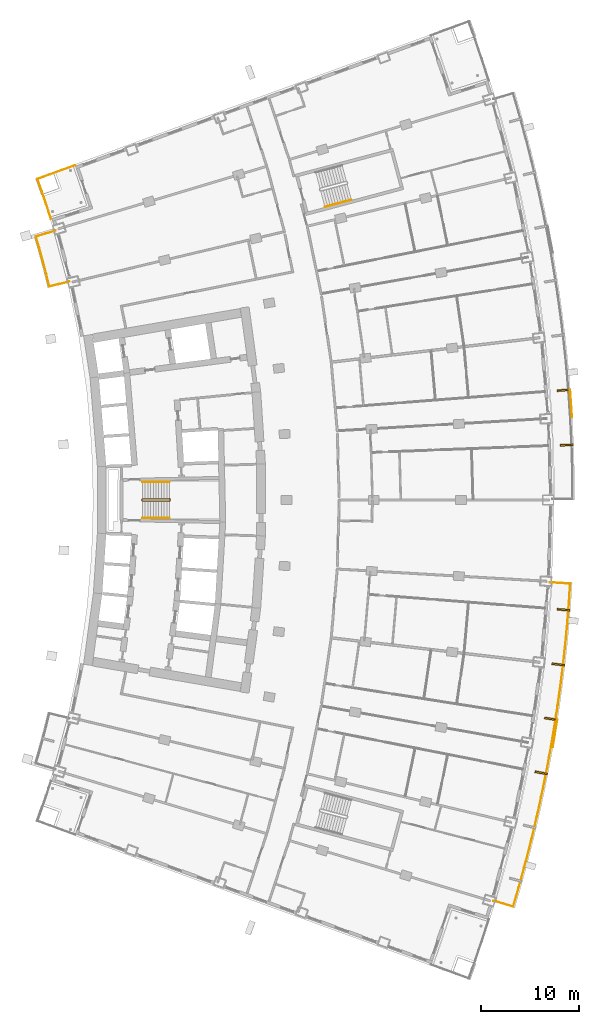
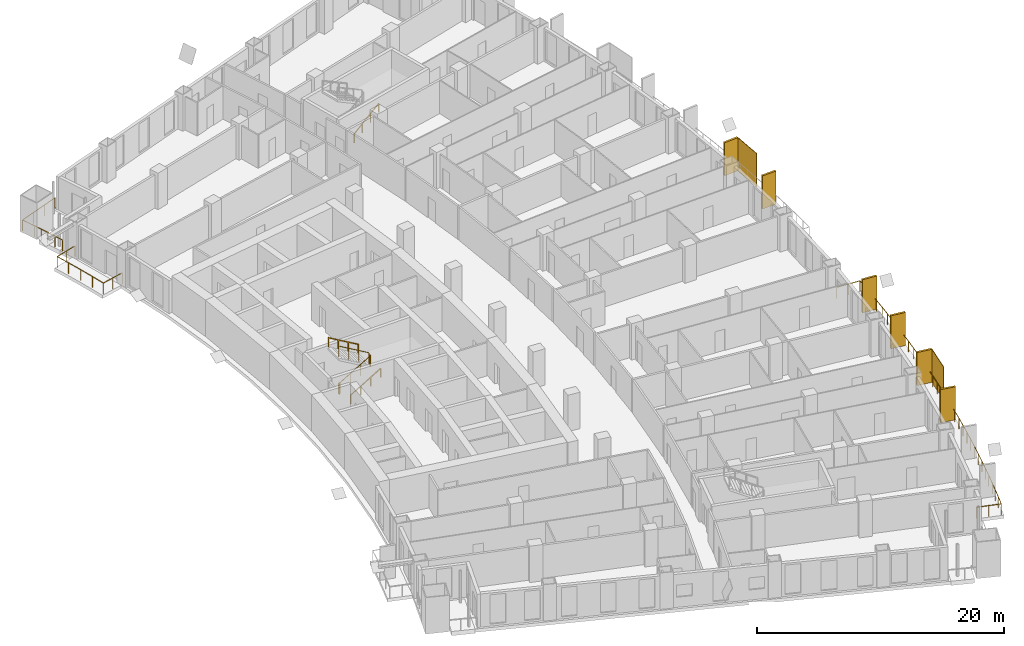
# One storey, part 24 of 25: 8 shading devices, 7 railings.
"""IFC4 building model written with IfcOpenShell, lengths in metres."""

from ifc_helpers import new_model, si_unit, direction, frame, origin, origin_with_axes, origin_2d, place, context, subcontext, project, spatial, rectangle, extrude, material, layer, layer_set, type_object, element, save


model = new_model("IFC4")

# Units and contexts
model_context = context("Model", 3, precision=1e-05, world=origin(), true_north=direction((0.0, 1.0)))
body_context = subcontext(model_context, "Body", "Model", "MODEL_VIEW")
ifc_project = project(units=[si_unit("LENGTHUNIT", "METRE"), si_unit("AREAUNIT", "SQUARE_METRE"), si_unit("VOLUMEUNIT", "CUBIC_METRE"), si_unit("PLANEANGLEUNIT", "RADIAN"), si_unit("MASSUNIT", "GRAM", prefix="KILO")], contexts=[model_context])

# Site, building, storey
site_placement = place(None, origin())
site = spatial("IfcSite", under=ifc_project, at=site_placement, CompositionType="ELEMENT")
building_placement = place(site_placement, origin())
building = spatial("IfcBuilding", under=site, at=building_placement, Name="Alderwake Tower", CompositionType="ELEMENT")
storey_placement = place(building_placement, frame((0.0, 0.0, 60.800048828125)))
storey = spatial("IfcBuildingStorey", under=building, at=storey_placement, Name="L14", CompositionType="ELEMENT", Elevation=60.800048828125)

# Railings
ifc_material_1 = material(Name="Stainless steel 316 rail and posts", Category="steel")
railing_type_1 = type_object("IfcRailingType", Name="Balcony guard 1100", PredefinedType="GUARDRAIL", material=ifc_material_1)
railing_1_placement = place(storey_placement, frame((56.98876953125, 19.974853515625, 0.0)))
element("IfcRailing", 1, at=railing_1_placement, inside=storey, type_object=railing_type_1, Name="Guard BF02", PredefinedType="GUARDRAIL", context=body_context, shape_type="SweptSolid", body=[
    extrude(rectangle(XDim=0.048095703125, YDim=0.048095703125, at=origin_2d()), frame((0.0, 0.0, 1.076171875), z_axis=(0.957954179098, -0.286921227429, 0.0), x_axis=(0.286921227429, 0.957954179098, 0.0)), (0.0, 0.0, 1.0), 2.10009765625),
    extrude(rectangle(XDim=0.048095703125, YDim=0.048095703125, at=origin_2d()), frame((2.01171875, -0.6025390625, 1.076171875), z_axis=(0.28021854868, 0.95993622964, 0.0), x_axis=(-0.95993622964, 0.28021854868, 0.0)), (0.0, 0.0, 1.0), 2.01611328125),
    extrude(rectangle(XDim=0.048095703125, YDim=0.048095703125, at=origin_2d()), frame((2.57666015625, 1.332763671875, 1.076171875), z_axis=(0.266513084078, 0.9638313006, 0.0), x_axis=(-0.9638313006, 0.266513084078, 0.0)), (0.0, 0.0, 1.0), 2.115966796875),
    extrude(rectangle(XDim=0.048095703125, YDim=0.048095703125, at=origin_2d()), frame((3.140625, 3.372314453125, 1.076171875), z_axis=(0.25253930462, 0.967586636752, 0.0), x_axis=(-0.967586636752, 0.25253930462, 0.0)), (0.0, 0.0, 1.0), 2.1162109375),
    extrude(rectangle(XDim=0.048095703125, YDim=0.048095703125, at=origin_2d()), frame((3.675048828125, 5.419921875, 1.076171875), z_axis=(0.238270812315, 0.971198754117, 0.0), x_axis=(-0.971198754117, 0.238270812315, 0.0)), (0.0, 0.0, 1.0), 2.115966796875),
    extrude(rectangle(XDim=0.048095703125, YDim=0.048095703125, at=origin_2d()), frame((4.17919921875, 7.474853515625, 1.076171875), z_axis=(0.224058933292, 0.974575597074, 0.0), x_axis=(-0.974575597074, 0.224058933292, 0.0)), (0.0, 0.0, 1.0), 2.115966796875),
    extrude(rectangle(XDim=0.048095703125, YDim=0.048095703125, at=origin_2d()), frame((4.6533203125, 9.537109375, 1.076171875), z_axis=(0.209875777658, 0.977728059305, 0.0), x_axis=(-0.977728059305, 0.209875777658, 0.0)), (0.0, 0.0, 1.0), 2.115966796875),
    extrude(rectangle(XDim=0.048095703125, YDim=0.048095703125, at=origin_2d()), frame((5.097412109375, 11.60595703125, 1.076171875), z_axis=(0.195672373282, 0.980669323643, 0.0), x_axis=(-0.980669323643, 0.195672373282, 0.0)), (0.0, 0.0, 1.0), 2.1162109375),
    extrude(rectangle(XDim=0.048095703125, YDim=0.048095703125, at=origin_2d()), frame((5.511474609375, 13.68115234375, 1.076171875), z_axis=(0.181271090416, 0.983433165893, 0.0), x_axis=(-0.983433165893, 0.181271090416, 0.0)), (0.0, 0.0, 1.0), 2.115966796875),
    extrude(rectangle(XDim=0.048095703125, YDim=0.048095703125, at=origin_2d()), frame((5.89501953125, 15.761962890625, 1.076171875), z_axis=(0.166942854132, 0.985966573193, 0.0), x_axis=(-0.985966573193, 0.166942854132, 0.0)), (0.0, 0.0, 1.0), 2.1162109375),
    extrude(rectangle(XDim=0.048095703125, YDim=0.048095703125, at=origin_2d()), frame((6.248291015625, 17.848388671875, 1.076171875), z_axis=(0.152525334997, 0.988299560955, 0.0), x_axis=(-0.988299560955, 0.152525334997, 0.0)), (0.0, 0.0, 1.0), 2.115966796875),
    extrude(rectangle(XDim=0.048095703125, YDim=0.048095703125, at=origin_2d()), frame((6.571044921875, 19.939697265625, 1.076171875), z_axis=(0.13810917546, 0.990417010988, 0.0), x_axis=(-0.990417010988, 0.13810917546, 0.0)), (0.0, 0.0, 1.0), 2.115966796875),
    extrude(rectangle(XDim=0.048095703125, YDim=0.048095703125, at=origin_2d()), frame((6.86328125, 22.035400390625, 1.076171875), z_axis=(0.123566122663, 0.992336340829, 0.0), x_axis=(-0.992336340829, 0.123566122663, 0.0)), (0.0, 0.0, 1.0), 2.115966796875),
    extrude(rectangle(XDim=0.048095703125, YDim=0.048095703125, at=origin_2d()), frame((7.124755859375, 24.13525390625, 1.076171875), z_axis=(0.109152371234, 0.994025029792, 0.0), x_axis=(-0.994025029792, 0.109152371234, 0.0)), (0.0, 0.0, 1.0), 2.115966796875),
    extrude(rectangle(XDim=0.048095703125, YDim=0.048095703125, at=origin_2d()), frame((7.355712890625, 26.238525390625, 1.076171875), z_axis=(0.094727418448, 0.995503247707, 0.0), x_axis=(-0.995503247707, 0.094727418448, 0.0)), (0.0, 0.0, 1.0), 2.115966796875),
    extrude(rectangle(XDim=0.048095703125, YDim=0.048095703125, at=origin_2d()), frame((7.55615234375, 28.344970703125, 1.076171875), z_axis=(0.080066197531, 0.996789548507, 0.0), x_axis=(-0.996789548507, 0.080066197531, 0.0)), (0.0, 0.0, 1.0), 2.1162109375),
    extrude(rectangle(XDim=0.048095703125, YDim=0.048095703125, at=origin_2d()), frame((7.7255859375, 30.454345703125, 1.076171875), z_axis=(0.065996579832, 0.997819849197, 0.0), x_axis=(-0.997819849197, 0.065996579832, 0.0)), (0.0, 0.0, 1.0), 2.01611328125),
    extrude(rectangle(XDim=0.048095703125, YDim=0.048095703125, at=origin_2d()), frame((7.858642578125, 32.466064453125, 1.076171875), z_axis=(-0.998261521477, 0.05894009449, 0.0), x_axis=(-0.05894009449, -0.998261521477, 0.0)), (0.0, 0.0, 1.0), 2.10009765625),
    extrude(rectangle(XDim=0.0419921875, YDim=0.0419921875, at=origin_2d()), frame((0.0, 0.0, 0.0), z_axis=(0.0, 0.0, 1.0), x_axis=(0.957954179098, -0.286921227429, 0.0)), (0.0, 0.0, 1.0), 1.052001953125),
    extrude(rectangle(XDim=0.0419921875, YDim=0.0419921875, at=origin_2d()), frame((1.005859375, -0.30126953125, 0.0), z_axis=(0.0, 0.0, 1.0), x_axis=(0.957954179098, -0.286921227429, 0.0)), (0.0, 0.0, 1.0), 1.052001953125),
    extrude(rectangle(XDim=0.0419921875, YDim=0.0419921875, at=origin_2d()), frame((2.01171875, -0.6025390625, 0.0), z_axis=(0.0, 0.0, 1.0), x_axis=(0.28021854868, 0.95993622964, 0.0)), (0.0, 0.0, 1.0), 1.052001953125),
    extrude(rectangle(XDim=0.0419921875, YDim=0.0419921875, at=origin_2d()), frame((2.294189453125, 0.365234375, 0.0), z_axis=(0.0, 0.0, 1.0), x_axis=(0.28021854868, 0.95993622964, 0.0)), (0.0, 0.0, 1.0), 1.052001953125),
    extrude(rectangle(XDim=0.0419921875, YDim=0.0419921875, at=origin_2d()), frame((2.57666015625, 1.332763671875, 0.0), z_axis=(0.0, 0.0, 1.0), x_axis=(0.266513084078, 0.9638313006, 0.0)), (0.0, 0.0, 1.0), 1.052001953125),
    extrude(rectangle(XDim=0.0419921875, YDim=0.0419921875, at=origin_2d()), frame((2.858642578125, 2.3525390625, 0.0), z_axis=(0.0, 0.0, 1.0), x_axis=(0.266513084078, 0.9638313006, 0.0)), (0.0, 0.0, 1.0), 1.052001953125),
    extrude(rectangle(XDim=0.0419921875, YDim=0.0419921875, at=origin_2d()), frame((3.140625, 3.372314453125, 0.0), z_axis=(0.0, 0.0, 1.0), x_axis=(0.25253930462, 0.967586636752, 0.0)), (0.0, 0.0, 1.0), 1.052001953125),
    extrude(rectangle(XDim=0.0419921875, YDim=0.0419921875, at=origin_2d()), frame((3.40771484375, 4.39599609375, 0.0), z_axis=(0.0, 0.0, 1.0), x_axis=(0.25253930462, 0.967586636752, 0.0)), (0.0, 0.0, 1.0), 1.052001953125),
    extrude(rectangle(XDim=0.0419921875, YDim=0.0419921875, at=origin_2d()), frame((3.675048828125, 5.419921875, 0.0), z_axis=(0.0, 0.0, 1.0), x_axis=(0.238270812315, 0.971198754117, 0.0)), (0.0, 0.0, 1.0), 1.052001953125),
    extrude(rectangle(XDim=0.0419921875, YDim=0.0419921875, at=origin_2d()), frame((3.92724609375, 6.447265625, 0.0), z_axis=(0.0, 0.0, 1.0), x_axis=(0.238270812315, 0.971198754117, 0.0)), (0.0, 0.0, 1.0), 1.052001953125),
    extrude(rectangle(XDim=0.0419921875, YDim=0.0419921875, at=origin_2d()), frame((4.17919921875, 7.474853515625, 0.0), z_axis=(0.0, 0.0, 1.0), x_axis=(0.224058933292, 0.974575597074, 0.0)), (0.0, 0.0, 1.0), 1.052001953125),
    extrude(rectangle(XDim=0.0419921875, YDim=0.0419921875, at=origin_2d()), frame((4.416259765625, 8.505859375, 0.0), z_axis=(0.0, 0.0, 1.0), x_axis=(0.224058933292, 0.974575597074, 0.0)), (0.0, 0.0, 1.0), 1.052001953125),
    extrude(rectangle(XDim=0.0419921875, YDim=0.0419921875, at=origin_2d()), frame((4.6533203125, 9.537109375, 0.0), z_axis=(0.0, 0.0, 1.0), x_axis=(0.209875777658, 0.977728059305, 0.0)), (0.0, 0.0, 1.0), 1.052001953125),
    extrude(rectangle(XDim=0.0419921875, YDim=0.0419921875, at=origin_2d()), frame((4.87548828125, 10.571533203125, 0.0), z_axis=(0.0, 0.0, 1.0), x_axis=(0.209875777658, 0.977728059305, 0.0)), (0.0, 0.0, 1.0), 1.052001953125),
    extrude(rectangle(XDim=0.0419921875, YDim=0.0419921875, at=origin_2d()), frame((5.097412109375, 11.60595703125, 0.0), z_axis=(0.0, 0.0, 1.0), x_axis=(0.195672373282, 0.980669323643, 0.0)), (0.0, 0.0, 1.0), 1.052001953125),
    extrude(rectangle(XDim=0.0419921875, YDim=0.0419921875, at=origin_2d()), frame((5.304443359375, 12.6435546875, 0.0), z_axis=(0.0, 0.0, 1.0), x_axis=(0.195672373282, 0.980669323643, 0.0)), (0.0, 0.0, 1.0), 1.052001953125),
    extrude(rectangle(XDim=0.0419921875, YDim=0.0419921875, at=origin_2d()), frame((5.511474609375, 13.68115234375, 0.0), z_axis=(0.0, 0.0, 1.0), x_axis=(0.181271090416, 0.983433165893, 0.0)), (0.0, 0.0, 1.0), 1.052001953125),
    extrude(rectangle(XDim=0.0419921875, YDim=0.0419921875, at=origin_2d()), frame((5.703125, 14.7216796875, 0.0), z_axis=(0.0, 0.0, 1.0), x_axis=(0.181271090416, 0.983433165893, 0.0)), (0.0, 0.0, 1.0), 1.052001953125),
    extrude(rectangle(XDim=0.0419921875, YDim=0.0419921875, at=origin_2d()), frame((5.89501953125, 15.761962890625, 0.0), z_axis=(0.0, 0.0, 1.0), x_axis=(0.166942854132, 0.985966573193, 0.0)), (0.0, 0.0, 1.0), 1.052001953125),
    extrude(rectangle(XDim=0.0419921875, YDim=0.0419921875, at=origin_2d()), frame((6.07177734375, 16.80517578125, 0.0), z_axis=(0.0, 0.0, 1.0), x_axis=(0.166942854132, 0.985966573193, 0.0)), (0.0, 0.0, 1.0), 1.052001953125),
    extrude(rectangle(XDim=0.0419921875, YDim=0.0419921875, at=origin_2d()), frame((6.248291015625, 17.848388671875, 0.0), z_axis=(0.0, 0.0, 1.0), x_axis=(0.152525334997, 0.988299560955, 0.0)), (0.0, 0.0, 1.0), 1.052001953125),
    extrude(rectangle(XDim=0.0419921875, YDim=0.0419921875, at=origin_2d()), frame((6.40966796875, 18.89404296875, 0.0), z_axis=(0.0, 0.0, 1.0), x_axis=(0.152525334997, 0.988299560955, 0.0)), (0.0, 0.0, 1.0), 1.052001953125),
    extrude(rectangle(XDim=0.0419921875, YDim=0.0419921875, at=origin_2d()), frame((6.571044921875, 19.939697265625, 0.0), z_axis=(0.0, 0.0, 1.0), x_axis=(0.13810917546, 0.990417010988, 0.0)), (0.0, 0.0, 1.0), 1.052001953125),
    extrude(rectangle(XDim=0.0419921875, YDim=0.0419921875, at=origin_2d()), frame((6.71728515625, 20.987548828125, 0.0), z_axis=(0.0, 0.0, 1.0), x_axis=(0.13810917546, 0.990417010988, 0.0)), (0.0, 0.0, 1.0), 1.052001953125),
    extrude(rectangle(XDim=0.0419921875, YDim=0.0419921875, at=origin_2d()), frame((6.86328125, 22.035400390625, 0.0), z_axis=(0.0, 0.0, 1.0), x_axis=(0.123566122663, 0.992336340829, 0.0)), (0.0, 0.0, 1.0), 1.052001953125),
    extrude(rectangle(XDim=0.0419921875, YDim=0.0419921875, at=origin_2d()), frame((6.994140625, 23.08544921875, 0.0), z_axis=(0.0, 0.0, 1.0), x_axis=(0.123566122663, 0.992336340829, 0.0)), (0.0, 0.0, 1.0), 1.052001953125),
    extrude(rectangle(XDim=0.0419921875, YDim=0.0419921875, at=origin_2d()), frame((7.124755859375, 24.13525390625, 0.0), z_axis=(0.0, 0.0, 1.0), x_axis=(0.109152371234, 0.994025029792, 0.0)), (0.0, 0.0, 1.0), 1.052001953125),
    extrude(rectangle(XDim=0.0419921875, YDim=0.0419921875, at=origin_2d()), frame((7.240234375, 25.18701171875, 0.0), z_axis=(0.0, 0.0, 1.0), x_axis=(0.109152371234, 0.994025029792, 0.0)), (0.0, 0.0, 1.0), 1.052001953125),
    extrude(rectangle(XDim=0.0419921875, YDim=0.0419921875, at=origin_2d()), frame((7.355712890625, 26.238525390625, 0.0), z_axis=(0.0, 0.0, 1.0), x_axis=(0.094727418448, 0.995503247707, 0.0)), (0.0, 0.0, 1.0), 1.052001953125),
    extrude(rectangle(XDim=0.0419921875, YDim=0.0419921875, at=origin_2d()), frame((7.4560546875, 27.291748046875, 0.0), z_axis=(0.0, 0.0, 1.0), x_axis=(0.094727418448, 0.995503247707, 0.0)), (0.0, 0.0, 1.0), 1.052001953125),
    extrude(rectangle(XDim=0.0419921875, YDim=0.0419921875, at=origin_2d()), frame((7.55615234375, 28.344970703125, 0.0), z_axis=(0.0, 0.0, 1.0), x_axis=(0.080066197531, 0.996789548507, 0.0)), (0.0, 0.0, 1.0), 1.052001953125),
    extrude(rectangle(XDim=0.0419921875, YDim=0.0419921875, at=origin_2d()), frame((7.640869140625, 29.399658203125, 0.0), z_axis=(0.0, 0.0, 1.0), x_axis=(0.080066197531, 0.996789548507, 0.0)), (0.0, 0.0, 1.0), 1.052001953125),
    extrude(rectangle(XDim=0.0419921875, YDim=0.0419921875, at=origin_2d()), frame((7.7255859375, 30.454345703125, 0.0), z_axis=(0.0, 0.0, 1.0), x_axis=(0.065996579832, 0.997819849197, 0.0)), (0.0, 0.0, 1.0), 1.052001953125),
    extrude(rectangle(XDim=0.0419921875, YDim=0.0419921875, at=origin_2d()), frame((7.7919921875, 31.460205078125, 0.0), z_axis=(0.0, 0.0, 1.0), x_axis=(0.065996579832, 0.997819849197, 0.0)), (0.0, 0.0, 1.0), 1.052001953125),
    extrude(rectangle(XDim=0.0419921875, YDim=0.0419921875, at=origin_2d()), frame((7.858642578125, 32.466064453125, 0.0), z_axis=(0.0, 0.0, 1.0), x_axis=(-0.998261521477, 0.05894009449, 0.0)), (0.0, 0.0, 1.0), 1.052001953125),
    extrude(rectangle(XDim=0.0419921875, YDim=0.0419921875, at=origin_2d()), frame((6.810546875, 32.52783203125, 0.0), z_axis=(0.0, 0.0, 1.0), x_axis=(-0.998261521477, 0.05894009449, 0.0)), (0.0, 0.0, 1.0), 1.052001953125),
    extrude(rectangle(XDim=0.0419921875, YDim=0.0419921875, at=origin_2d()), frame((5.76220703125, 32.58984375, 0.0), z_axis=(0.0, 0.0, 1.0), x_axis=(-0.998261521477, 0.05894009449, 0.0)), (0.0, 0.0, 1.0), 1.052001953125),
])
railing_2_placement = place(storey_placement, frame((13.5693359375, 83.343017578125, 0.0)))
element("IfcRailing", 2, at=railing_2_placement, inside=storey, type_object=railing_type_1, Name="Guard BR11", PredefinedType="GUARDRAIL", context=body_context, shape_type="SweptSolid", body=[
    extrude(rectangle(XDim=0.048095703125, YDim=0.048095703125, at=origin_2d()), frame((0.0, 0.0, 1.076171875), z_axis=(-0.972646310656, -0.232291098337, 0.0), x_axis=(0.232291098337, -0.972646310656, 0.0)), (0.0, 0.0, 1.0), 2.099853515625),
    extrude(rectangle(XDim=0.048095703125, YDim=0.048095703125, at=origin_2d()), frame((-2.04248046875, -0.48779296875, 1.076171875), z_axis=(-0.238877101641, 0.971049808358, 0.0), x_axis=(-0.971049808358, -0.238877101641, 0.0)), (0.0, 0.0, 1.0), 1.2724609375),
    extrude(rectangle(XDim=0.048095703125, YDim=0.048095703125, at=origin_2d()), frame((-2.346435546875, 0.747802734375, 1.076171875), z_axis=(-0.252487086228, 0.967600264204, 0.0), x_axis=(-0.967600264204, -0.252487086228, 0.0)), (0.0, 0.0, 1.0), 1.3720703125),
    extrude(rectangle(XDim=0.048095703125, YDim=0.048095703125, at=origin_2d()), frame((-2.69287109375, 2.075439453125, 1.076171875), z_axis=(-0.266487604617, 0.963838345671, 0.0), x_axis=(-0.963838345671, -0.266487604617, 0.0)), (0.0, 0.0, 1.0), 1.372314453125),
    extrude(rectangle(XDim=0.048095703125, YDim=0.048095703125, at=origin_2d()), frame((-3.05859375, 3.398193359375, 1.076171875), z_axis=(-0.279963157487, 0.960010744966, 0.0), x_axis=(-0.960010744966, -0.279963157487, 0.0)), (0.0, 0.0, 1.0), 1.272216796875),
    extrude(rectangle(XDim=0.048095703125, YDim=0.048095703125, at=origin_2d()), frame((-3.414794921875, 4.61962890625, 1.076171875), z_axis=(0.958091458885, 0.286462486918, 0.0), x_axis=(-0.286462486918, 0.958091458885, 0.0)), (0.0, 0.0, 1.0), 2.099853515625),
    extrude(rectangle(XDim=0.0419921875, YDim=0.0419921875, at=origin_2d()), frame((0.0, 0.0, 0.0), z_axis=(0.0, 0.0, 1.0), x_axis=(-0.972646310656, -0.232291098337, 0.0)), (0.0, 0.0, 1.0), 1.052001953125),
    extrude(rectangle(XDim=0.0419921875, YDim=0.0419921875, at=origin_2d()), frame((-1.021240234375, -0.243896484375, 0.0), z_axis=(0.0, 0.0, 1.0), x_axis=(-0.972646310656, -0.232291098337, 0.0)), (0.0, 0.0, 1.0), 1.052001953125),
    extrude(rectangle(XDim=0.0419921875, YDim=0.0419921875, at=origin_2d()), frame((-2.04248046875, -0.48779296875, 0.0), z_axis=(0.0, 0.0, 1.0), x_axis=(-0.238877101641, 0.971049808358, 0.0)), (0.0, 0.0, 1.0), 1.052001953125),
    extrude(rectangle(XDim=0.0419921875, YDim=0.0419921875, at=origin_2d()), frame((-2.346435546875, 0.747802734375, 0.0), z_axis=(0.0, 0.0, 1.0), x_axis=(-0.252487086228, 0.967600264204, 0.0)), (0.0, 0.0, 1.0), 1.052001953125),
    extrude(rectangle(XDim=0.0419921875, YDim=0.0419921875, at=origin_2d()), frame((-2.69287109375, 2.075439453125, 0.0), z_axis=(0.0, 0.0, 1.0), x_axis=(-0.266487604617, 0.963838345671, 0.0)), (0.0, 0.0, 1.0), 1.052001953125),
    extrude(rectangle(XDim=0.0419921875, YDim=0.0419921875, at=origin_2d()), frame((-3.05859375, 3.398193359375, 0.0), z_axis=(0.0, 0.0, 1.0), x_axis=(-0.279963157487, 0.960010744966, 0.0)), (0.0, 0.0, 1.0), 1.052001953125),
    extrude(rectangle(XDim=0.0419921875, YDim=0.0419921875, at=origin_2d()), frame((-3.414794921875, 4.61962890625, 0.0), z_axis=(0.0, 0.0, 1.0), x_axis=(0.958091458885, 0.286462486918, 0.0)), (0.0, 0.0, 1.0), 1.052001953125),
    extrude(rectangle(XDim=0.0419921875, YDim=0.0419921875, at=origin_2d()), frame((-2.40869140625, 4.92041015625, 0.0), z_axis=(0.0, 0.0, 1.0), x_axis=(0.958091458885, 0.286462486918, 0.0)), (0.0, 0.0, 1.0), 1.052001953125),
    extrude(rectangle(XDim=0.0419921875, YDim=0.0419921875, at=origin_2d()), frame((-1.40283203125, 5.22119140625, 0.0), z_axis=(0.0, 0.0, 1.0), x_axis=(0.958091458885, 0.286462486918, 0.0)), (0.0, 0.0, 1.0), 1.052001953125),
])
railing_3_placement = place(storey_placement, frame((11.688720703125, 89.781982421875, 0.0)))
element("IfcRailing", 3, at=railing_3_placement, inside=storey, type_object=railing_type_1, Name="Guard terrace RN", PredefinedType="GUARDRAIL", context=body_context, shape_type="SweptSolid", body=[
    extrude(rectangle(XDim=0.048095703125, YDim=0.048095703125, at=origin_2d()), frame((0.0, 0.0, 1.076171875), z_axis=(-0.307479326145, 0.951554761426, 0.0), x_axis=(-0.951554761426, -0.307479326145, 0.0)), (0.0, 0.0, 1.0), 1.6015625),
    extrude(rectangle(XDim=0.048095703125, YDim=0.048095703125, at=origin_2d()), frame((-0.492431640625, 1.52392578125, 1.076171875), z_axis=(-0.322283727344, 0.946643121292, 0.0), x_axis=(-0.946643121292, -0.322283727344, 0.0)), (0.0, 0.0, 1.0), 1.4013671875),
    extrude(rectangle(XDim=0.048095703125, YDim=0.048095703125, at=origin_2d()), frame((-0.944091796875, 2.8505859375, 1.076171875), z_axis=(-0.335468607403, 0.942051385778, 0.0), x_axis=(-0.942051385778, -0.335468607403, 0.0)), (0.0, 0.0, 1.0), 1.30126953125),
    extrude(rectangle(XDim=0.048095703125, YDim=0.048095703125, at=origin_2d()), frame((-1.380615234375, 4.076416015625, 1.076171875), z_axis=(0.939708203232, 0.341977327873, 0.0), x_axis=(-0.341977327873, 0.939708203232, 0.0)), (0.0, 0.0, 1.0), 4.10009765625),
    extrude(rectangle(XDim=0.0419921875, YDim=0.0419921875, at=origin_2d()), frame((0.0, 0.0, 0.0), z_axis=(0.0, 0.0, 1.0), x_axis=(-0.307479326145, 0.951554761426, 0.0)), (0.0, 0.0, 1.0), 1.052001953125),
    extrude(rectangle(XDim=0.0419921875, YDim=0.0419921875, at=origin_2d()), frame((-0.24609375, 0.761962890625, 0.0), z_axis=(0.0, 0.0, 1.0), x_axis=(-0.307479326145, 0.951554761426, 0.0)), (0.0, 0.0, 1.0), 1.052001953125),
    extrude(rectangle(XDim=0.0419921875, YDim=0.0419921875, at=origin_2d()), frame((-0.492431640625, 1.52392578125, 0.0), z_axis=(0.0, 0.0, 1.0), x_axis=(-0.322283727344, 0.946643121292, 0.0)), (0.0, 0.0, 1.0), 1.052001953125),
    extrude(rectangle(XDim=0.0419921875, YDim=0.0419921875, at=origin_2d()), frame((-0.71826171875, 2.187255859375, 0.0), z_axis=(0.0, 0.0, 1.0), x_axis=(-0.322283727344, 0.946643121292, 0.0)), (0.0, 0.0, 1.0), 1.052001953125),
    extrude(rectangle(XDim=0.0419921875, YDim=0.0419921875, at=origin_2d()), frame((-0.944091796875, 2.8505859375, 0.0), z_axis=(0.0, 0.0, 1.0), x_axis=(-0.335468607403, 0.942051385778, 0.0)), (0.0, 0.0, 1.0), 1.052001953125),
    extrude(rectangle(XDim=0.0419921875, YDim=0.0419921875, at=origin_2d()), frame((-1.380615234375, 4.076416015625, 0.0), z_axis=(0.0, 0.0, 1.0), x_axis=(0.939708203232, 0.341977327873, 0.0)), (0.0, 0.0, 1.0), 1.052001953125),
    extrude(rectangle(XDim=0.0419921875, YDim=0.0419921875, at=origin_2d()), frame((-0.096435546875, 4.543701171875, 0.0), z_axis=(0.0, 0.0, 1.0), x_axis=(0.939708203232, 0.341977327873, 0.0)), (0.0, 0.0, 1.0), 1.052001953125),
    extrude(rectangle(XDim=0.0419921875, YDim=0.0419921875, at=origin_2d()), frame((1.18798828125, 5.01123046875, 0.0), z_axis=(0.0, 0.0, 1.0), x_axis=(0.939708203232, 0.341977327873, 0.0)), (0.0, 0.0, 1.0), 1.052001953125),
    extrude(rectangle(XDim=0.0419921875, YDim=0.0419921875, at=origin_2d()), frame((2.47216796875, 5.478515625, 0.0), z_axis=(0.0, 0.0, 1.0), x_axis=(0.939708203232, 0.341977327873, 0.0)), (0.0, 0.0, 1.0), 1.052001953125),
])

# Shading devices
ifc_material_2 = material(Name="Bronze anodised aluminium", Category="aluminium")
ifc_layer_1 = layer(ifc_material_2, 0.179931640625)
ifc_layer_set_1 = layer_set([ifc_layer_1], Name="Facade fin 1300")
shading_device_type_1 = type_object("IfcShadingDeviceType", Name="Facade fin 1300", PredefinedType="USERDEFINED", material=ifc_layer_set_1)
for number, where, z_axis, x_axis, name in (
    (4, (61.876220703125, 33.06640625, 0.0), (0.0, 0.0, 1.0), (0.981163751315, -0.193177879441, 0.0), "Fin"),
    (5, (62.85302734375, 38.5908203125, 0.0), (0.0, 0.0, 1.0), (0.987918787879, -0.154972476771, 0.0), "Fin"),
    (6, (63.616455078125, 44.16357421875, 0.0), (0.0, 0.0, 1.0), (0.993198315083, -0.116434990084, 0.0), "Fin"),
    (7, (64.16259765625, 49.761474609375, 0.0), (0.0, 0.0, 1.0), (0.996975122026, -0.077721335943, 0.0), "Fin"),
    (8, (64.490478515625, 66.62353515625, 0.0), (0.0, 0.0, 1.0), (0.999243494356, 0.038890088543, 0.0), "Fin"),
    (9, (64.16259765625, 72.238525390625, 0.0), (0.0, 0.0, 1.0), (0.996975122026, 0.077721335943, 0.0), "Fin"),
):
    element("IfcShadingDevice", number, at=place(storey_placement, frame(where, z_axis=z_axis, x_axis=x_axis)), inside=storey, type_object=shading_device_type_1, Name=name, ObjectType="FIN", PredefinedType="USERDEFINED", context=body_context, shape_type="SweptSolid", body=[
        extrude(rectangle(XDim=1.300048828125, YDim=0.179931640625, at=origin_2d()), origin(), (0.0, 0.0, 1.0), 3.280029296875),
    ])
ifc_material_3 = material(Name="Perforated bronze anodised aluminium", Category="aluminium")
ifc_layer_2 = layer(ifc_material_3, 0.050048828125)
ifc_layer_set_2 = layer_set([ifc_layer_2], Name="Perforated screen panel")
shading_device_type_2 = type_object("IfcShadingDeviceType", Name="Perforated screen panel", PredefinedType="USERDEFINED", material=ifc_layer_set_2)
shading_device_1_placement = place(storey_placement, frame((63.2880859375, 37.096435546875, 0.0), z_axis=(0.0, 0.0, 1.0), x_axis=(0.986369013299, -0.164548380739, 0.0)))
element("IfcShadingDevice", 10, at=shading_device_1_placement, inside=storey, type_object=shading_device_type_2, Name="Screen panel", ObjectType="SCREEN", PredefinedType="USERDEFINED", context=body_context, shape_type="SweptSolid", body=[
    extrude(rectangle(XDim=0.050048828125, YDim=2.818359375, at=origin_2d()), origin(), (0.0, 0.0, 1.0), 3.280029296875),
])
shading_device_2_placement = place(storey_placement, frame((64.931884765625, 70.8779296875, 0.0), z_axis=(0.0, 0.0, 1.0), x_axis=(0.997685465774, 0.067997877779, 0.0)))
element("IfcShadingDevice", 11, at=shading_device_2_placement, inside=storey, type_object=shading_device_type_2, Name="Screen panel", ObjectType="SCREEN", PredefinedType="USERDEFINED", context=body_context, shape_type="SweptSolid", body=[
    extrude(rectangle(XDim=0.050048828125, YDim=2.832763671875, at=origin_2d()), origin(), (0.0, 0.0, 1.0), 3.280029296875),
])

# Railings
ifc_material_4 = material(Name="Stainless steel guard", Category="steel")
railing_type_2 = type_object("IfcRailingType", Name="Stair guard 1100", PredefinedType="GUARDRAIL", material=ifc_material_4)
railing_4_placement = place(storey_placement, frame((20.989990234375, 60.925048828125, 0.0)))
element("IfcRailing", 12, at=railing_4_placement, inside=storey, type_object=railing_type_2, Name="L14 ST-B stair guard 1", PredefinedType="GUARDRAIL", context=body_context, shape_type="SweptSolid", body=[
    extrude(rectangle(XDim=0.048095703125, YDim=0.048095703125, at=origin_2d()), frame((0.0, 0.0, 1.076171875), z_axis=(0.0, 1.0, 0.0), x_axis=(-1.0, 0.0, 0.0)), (0.0, 0.0, 1.0), 0.14990234375),
    extrude(rectangle(XDim=0.048095703125, YDim=0.048095703125, at=origin_2d()), frame((0.0, 0.14990234375, 1.076171875), z_axis=(0.190199549216, -0.759870394187, 0.621627795), x_axis=(0.970072785993, 0.242814311512, 0.0)), (0.0, 0.0, 1.0), 0.26318359375),
    extrude(rectangle(XDim=0.048095703125, YDim=0.048095703125, at=origin_2d()), frame((0.050048828125, -0.050048828125, 1.23974609375), z_axis=(0.863360870873, 0.0, 0.504586966384), x_axis=(0.0, 1.0, 0.0)), (0.0, 0.0, 1.0), 3.2431640625),
    extrude(rectangle(XDim=0.048095703125, YDim=0.048095703125, at=origin_2d()), frame((2.85009765625, -0.050048828125, 2.8759765625), z_axis=(0.705375805398, 0.708833529934, 0.0), x_axis=(-0.708833529934, 0.705375805398, 0.0)), (0.0, 0.0, 1.0), 0.070556640625),
    extrude(rectangle(XDim=0.048095703125, YDim=0.048095703125, at=origin_2d()), frame((2.89990234375, 0.0, 2.8759765625), z_axis=(0.0, 1.0, 0.0), x_axis=(-1.0, 0.0, 0.0)), (0.0, 0.0, 1.0), 0.14990234375),
    extrude(rectangle(XDim=0.048095703125, YDim=0.048095703125, at=origin_2d()), frame((2.89990234375, 0.14990234375, 2.8759765625), z_axis=(-0.279546231943, 0.280916556609, 0.91811752648), x_axis=(-0.708833529934, -0.705375805398, 0.0)), (0.0, 0.0, 1.0), 0.17822265625),
    extrude(rectangle(XDim=0.048095703125, YDim=0.048095703125, at=origin_2d()), frame((2.85009765625, 0.199951171875, 3.03955078125), z_axis=(-0.863393664356, 0.0, 0.504530851732), x_axis=(0.0, -1.0, 0.0)), (0.0, 0.0, 1.0), 3.2431640625),
    extrude(rectangle(XDim=0.0419921875, YDim=0.0419921875, at=origin_2d()), frame((0.0, 0.0, 0.0), z_axis=(0.0, 0.0, 1.0), x_axis=(0.0, 1.0, 0.0)), (0.0, 0.0, 1.0), 1.052001953125),
    extrude(rectangle(XDim=0.0419921875, YDim=0.0419921875, at=origin_2d()), frame((0.0, 0.14990234375, 0.0), z_axis=(0.0, 0.0, 1.0), x_axis=(0.242814311512, -0.970072785993, 0.0)), (0.0, 0.0, 1.0), 1.052001953125),
    extrude(rectangle(XDim=0.0419921875, YDim=0.0419921875, at=origin_2d()), frame((0.050048828125, -0.050048828125, 0.16357421875), z_axis=(0.0, 0.0, 1.0), x_axis=(1.0, 0.0, 0.0)), (0.0, 0.0, 1.0), 1.052001953125),
    extrude(rectangle(XDim=0.0419921875, YDim=0.0419921875, at=origin_2d()), frame((0.9833984375, -0.050048828125, 0.708984375), z_axis=(0.0, 0.0, 1.0), x_axis=(1.0, 0.0, 0.0)), (0.0, 0.0, 1.0), 1.052001953125),
    extrude(rectangle(XDim=0.0419921875, YDim=0.0419921875, at=origin_2d()), frame((1.916748046875, -0.050048828125, 1.254638671875), z_axis=(0.0, 0.0, 1.0), x_axis=(1.0, 0.0, 0.0)), (0.0, 0.0, 1.0), 1.052001953125),
    extrude(rectangle(XDim=0.0419921875, YDim=0.0419921875, at=origin_2d()), frame((2.85009765625, -0.050048828125, 1.800048828125), z_axis=(0.0, 0.0, 1.0), x_axis=(0.705375805398, 0.708833529934, 0.0)), (0.0, 0.0, 1.0), 1.052001953125),
    extrude(rectangle(XDim=0.0419921875, YDim=0.0419921875, at=origin_2d()), frame((2.89990234375, 0.0, 1.800048828125), z_axis=(0.0, 0.0, 1.0), x_axis=(0.0, 1.0, 0.0)), (0.0, 0.0, 1.0), 1.052001953125),
    extrude(rectangle(XDim=0.0419921875, YDim=0.0419921875, at=origin_2d()), frame((2.89990234375, 0.14990234375, 1.800048828125), z_axis=(0.0, 0.0, 1.0), x_axis=(-0.705375805398, 0.708833529934, 0.0)), (0.0, 0.0, 1.0), 1.052001953125),
    extrude(rectangle(XDim=0.0419921875, YDim=0.0419921875, at=origin_2d()), frame((2.85009765625, 0.199951171875, 1.963623046875), z_axis=(0.0, 0.0, 1.0), x_axis=(-1.0, 0.0, 0.0)), (0.0, 0.0, 1.0), 1.052001953125),
    extrude(rectangle(XDim=0.0419921875, YDim=0.0419921875, at=origin_2d()), frame((1.916748046875, 0.199951171875, 2.509033203125), z_axis=(0.0, 0.0, 1.0), x_axis=(-1.0, 0.0, 0.0)), (0.0, 0.0, 1.0), 1.052001953125),
    extrude(rectangle(XDim=0.0419921875, YDim=0.0419921875, at=origin_2d()), frame((0.9833984375, 0.199951171875, 3.054443359375), z_axis=(0.0, 0.0, 1.0), x_axis=(-1.0, 0.0, 0.0)), (0.0, 0.0, 1.0), 1.052001953125),
    extrude(rectangle(XDim=0.0419921875, YDim=0.0419921875, at=origin_2d()), frame((0.050048828125, 0.199951171875, 3.599853515625), z_axis=(0.0, 0.0, 1.0), x_axis=(-1.0, 0.0, 0.0)), (0.0, 0.0, 1.0), 1.052001953125),
])
ifc_material_5 = material(Name="Stainless steel handrail", Category="steel")
railing_type_3 = type_object("IfcRailingType", Name="Stair handrail 900", PredefinedType="HANDRAIL", material=ifc_material_5)
railing_5_placement = place(storey_placement, frame((21.0400390625, 59.175048828125, 0.16357421875)))
element("IfcRailing", 13, at=railing_5_placement, inside=storey, type_object=railing_type_3, Name="L14 ST-B stair handrail 1", PredefinedType="HANDRAIL", context=body_context, shape_type="SweptSolid", body=[
    extrude(rectangle(XDim=0.048095703125, YDim=0.048095703125, at=origin_2d()), frame((0.0, 0.0, 0.8759765625), z_axis=(0.863360870873, 0.0, 0.504586966384), x_axis=(0.0, 1.0, 0.0)), (0.0, 0.0, 1.0), 3.2431640625),
    extrude(rectangle(XDim=0.0419921875, YDim=0.0419921875, at=origin_2d()), origin_with_axes(), (0.0, 0.0, 1.0), 0.851806640625),
    extrude(rectangle(XDim=0.0419921875, YDim=0.0419921875, at=origin_2d()), frame((0.933349609375, 0.0, 0.54541015625), z_axis=(0.0, 0.0, 1.0), x_axis=(1.0, 0.0, 0.0)), (0.0, 0.0, 1.0), 0.851806640625),
    extrude(rectangle(XDim=0.0419921875, YDim=0.0419921875, at=origin_2d()), frame((1.86669921875, 0.0, 1.091064453125), z_axis=(0.0, 0.0, 1.0), x_axis=(1.0, 0.0, 0.0)), (0.0, 0.0, 1.0), 0.851806640625),
    extrude(rectangle(XDim=0.0419921875, YDim=0.0419921875, at=origin_2d()), frame((2.800048828125, 0.0, 1.636474609375), z_axis=(0.0, 0.0, 1.0), x_axis=(1.0, 0.0, 0.0)), (0.0, 0.0, 1.0), 0.851806640625),
])
railing_6_placement = place(storey_placement, frame((23.840087890625, 62.824951171875, 1.963623046875)))
element("IfcRailing", 14, at=railing_6_placement, inside=storey, type_object=railing_type_3, Name="L14 ST-B stair handrail 2", PredefinedType="HANDRAIL", context=body_context, shape_type="SweptSolid", body=[
    extrude(rectangle(XDim=0.048095703125, YDim=0.048095703125, at=origin_2d()), frame((0.0, 0.0, 0.8759765625), z_axis=(-0.863393664356, 0.0, 0.504530851732), x_axis=(0.0, -1.0, 0.0)), (0.0, 0.0, 1.0), 3.2431640625),
    extrude(rectangle(XDim=0.0419921875, YDim=0.0419921875, at=origin_2d()), frame((0.0, 0.0, 0.0), z_axis=(0.0, 0.0, 1.0), x_axis=(-1.0, 0.0, 0.0)), (0.0, 0.0, 1.0), 0.851806640625),
    extrude(rectangle(XDim=0.0419921875, YDim=0.0419921875, at=origin_2d()), frame((-0.933349609375, 0.0, 0.54541015625), z_axis=(0.0, 0.0, 1.0), x_axis=(-1.0, 0.0, 0.0)), (0.0, 0.0, 1.0), 0.851806640625),
    extrude(rectangle(XDim=0.0419921875, YDim=0.0419921875, at=origin_2d()), frame((-1.86669921875, 0.0, 1.0908203125), z_axis=(0.0, 0.0, 1.0), x_axis=(-1.0, 0.0, 0.0)), (0.0, 0.0, 1.0), 0.851806640625),
    extrude(rectangle(XDim=0.0419921875, YDim=0.0419921875, at=origin_2d()), frame((-2.800048828125, 0.0, 1.63623046875), z_axis=(0.0, 0.0, 1.0), x_axis=(-1.0, 0.0, 0.0)), (0.0, 0.0, 1.0), 0.851806640625),
])
railing_7_placement = place(storey_placement, frame((39.731689453125, 91.002685546875, 0.16357421875)))
element("IfcRailing", 15, at=railing_7_placement, inside=storey, type_object=railing_type_3, Name="L14 ST-A stair handrail 1", PredefinedType="HANDRAIL", context=body_context, shape_type="SweptSolid", body=[
    extrude(rectangle(XDim=0.048095703125, YDim=0.048095703125, at=origin_2d()), frame((0.0, 0.0, 0.8759765625), z_axis=(0.834258940753, 0.22222815314, 0.504605457487), x_axis=(-0.257402139082, 0.966304371715, 0.0)), (0.0, 0.0, 1.0), 3.2431640625),
    extrude(rectangle(XDim=0.0419921875, YDim=0.0419921875, at=origin_2d()), frame((0.0, 0.0, 0.0), z_axis=(0.0, 0.0, 1.0), x_axis=(0.966304371715, 0.257402139082, 0.0)), (0.0, 0.0, 1.0), 0.851806640625),
    extrude(rectangle(XDim=0.0419921875, YDim=0.0419921875, at=origin_2d()), frame((0.90185546875, 0.240234375, 0.54541015625), z_axis=(0.0, 0.0, 1.0), x_axis=(0.966304371715, 0.257402139082, 0.0)), (0.0, 0.0, 1.0), 0.851806640625),
    extrude(rectangle(XDim=0.0419921875, YDim=0.0419921875, at=origin_2d()), frame((1.8037109375, 0.48046875, 1.091064453125), z_axis=(0.0, 0.0, 1.0), x_axis=(0.966304371715, 0.257402139082, 0.0)), (0.0, 0.0, 1.0), 0.851806640625),
    extrude(rectangle(XDim=0.0419921875, YDim=0.0419921875, at=origin_2d()), frame((2.70556640625, 0.720703125, 1.636474609375), z_axis=(0.0, 0.0, 1.0), x_axis=(0.966304371715, 0.257402139082, 0.0)), (0.0, 0.0, 1.0), 0.851806640625),
])

save(model, "model.ifc")
